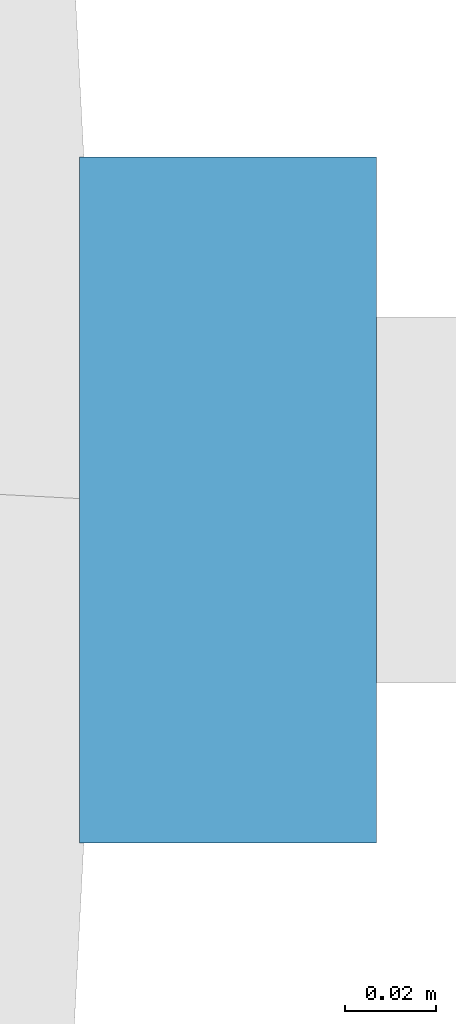
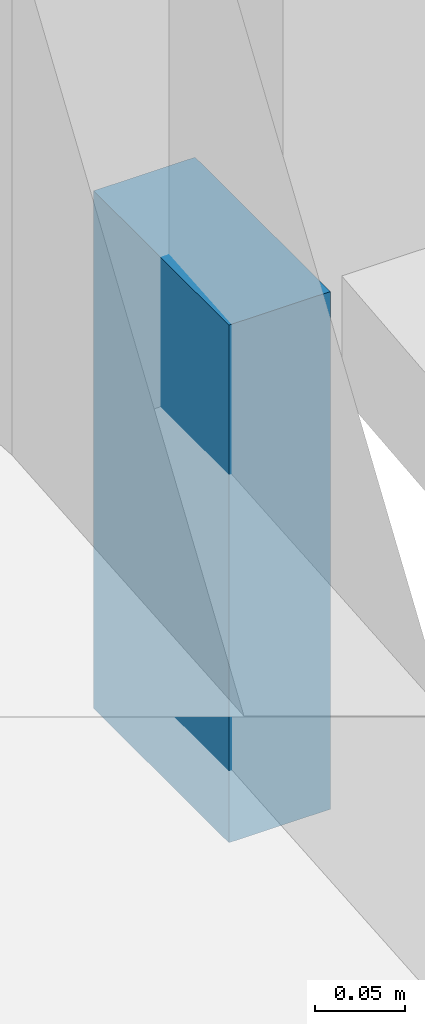
# One storey, part 16 of 20: 1 discrete accessory.
"""IFC4 building model written with IfcOpenShell, lengths in metres."""

from ifc_helpers import new_model, si_unit, direction, frame, origin, origin_2d, place, context, subcontext, project, spatial, rectangle, extrude, material, type_object, element, save


model = new_model("IFC4")

# Units and contexts
model_context = context("Model", 3, precision=1e-05, world=origin(), true_north=direction((0.0, 1.0)))
body_context = subcontext(model_context, "Body", "Model", "MODEL_VIEW")
ifc_project = project(units=[si_unit("LENGTHUNIT", "METRE"), si_unit("AREAUNIT", "SQUARE_METRE"), si_unit("VOLUMEUNIT", "CUBIC_METRE"), si_unit("PLANEANGLEUNIT", "RADIAN"), si_unit("MASSUNIT", "GRAM", prefix="KILO")], contexts=[model_context])

# Site, building, storey
site_placement = place(None, origin())
site = spatial("IfcSite", under=ifc_project, at=site_placement, CompositionType="ELEMENT")
building_placement = place(site_placement, origin())
building = spatial("IfcBuilding", under=site, at=building_placement, Name="Ghaith Harvest Tower", CompositionType="ELEMENT")
storey_placement = place(building_placement, frame((0.0, 0.0, 55.0)))
storey = spatial("IfcBuildingStorey", under=building, at=storey_placement, Name="L11", CompositionType="ELEMENT", Elevation=55.0)

# Discrete accessory
ifc_material = material(Name="Stainless steel grade 1.4401", Category="steel")
discrete_accessory_type = type_object("IfcDiscreteAccessoryType", Name="CURTAIN WALL BRACKET 65", PredefinedType="BRACKET", material=ifc_material)
discrete_accessory_placement = place(storey_placement, frame((34.152587890625, 0.0, -0.25), z_axis=(0.0, 0.0, 1.0), x_axis=(1.0, 0.0, 0.0)))
element("IfcDiscreteAccessory", 1, at=discrete_accessory_placement, inside=storey, type_object=discrete_accessory_type, Name="CW-F bracket 1 bay 01 L11", PredefinedType="BRACKET", context=body_context, shape_type="SweptSolid", body=[
    extrude(rectangle(XDim=0.06494140625, YDim=0.14990234375, at=origin_2d()), origin(), (0.0, 0.0, 1.0), 0.35009765625),
])

save(model, "model.ifc")
